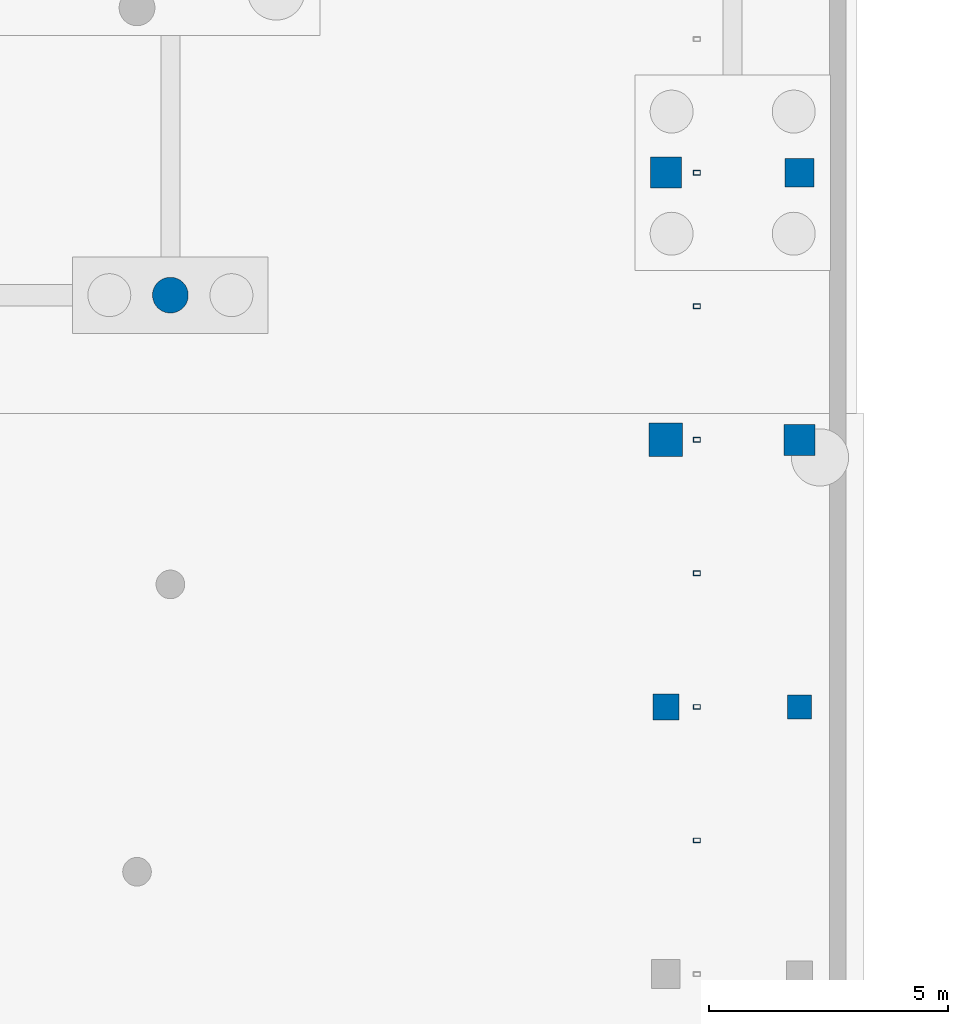
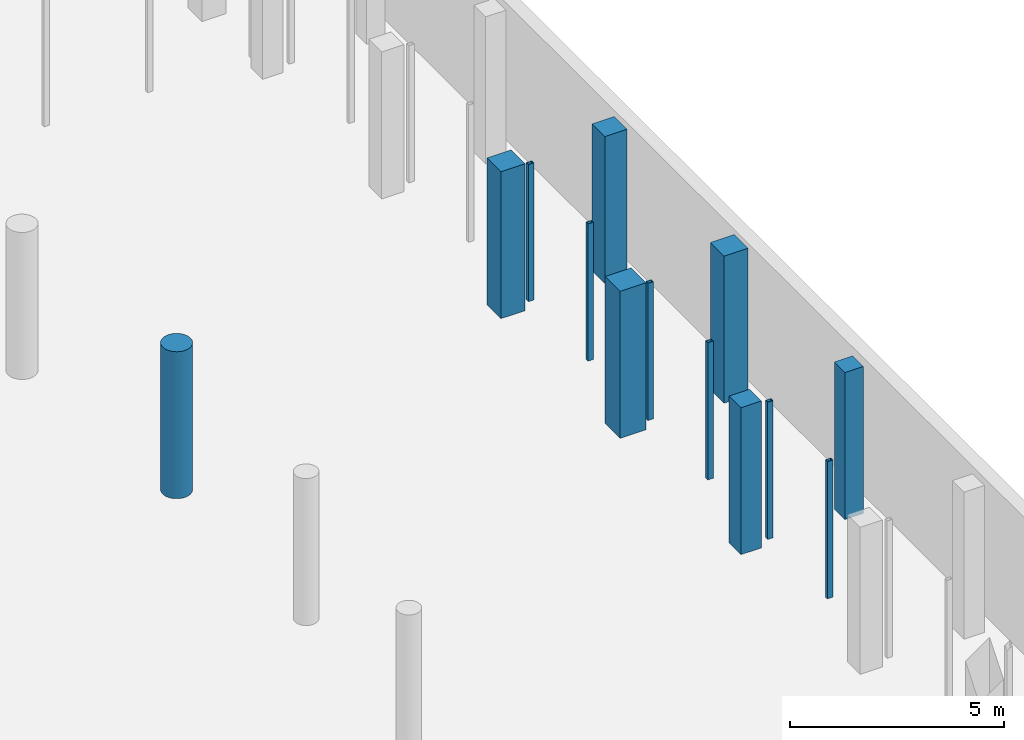
# One storey, part 17 of 34: 13 columns.
"""IFC4 building model written with IfcOpenShell, lengths in metres."""

from ifc_helpers import new_model, si_unit, direction, frame, origin, origin_2d, place, context, subcontext, project, spatial, rectangle, hollow_rectangle, circle, extrude, material, material_profile, profile_set, type_object, element, save


model = new_model("IFC4")

# Units and contexts
model_context = context("Model", 3, precision=1e-05, world=origin(), true_north=direction((0.0, 1.0)))
body_context = subcontext(model_context, "Body", "Model", "MODEL_VIEW")
ifc_project = project(units=[si_unit("LENGTHUNIT", "METRE"), si_unit("AREAUNIT", "SQUARE_METRE"), si_unit("VOLUMEUNIT", "CUBIC_METRE"), si_unit("PLANEANGLEUNIT", "RADIAN"), si_unit("MASSUNIT", "GRAM", prefix="KILO")], contexts=[model_context])

# Site, building, storey
site_placement = place(None, origin())
site = spatial("IfcSite", under=ifc_project, at=site_placement, CompositionType="ELEMENT")
building_placement = place(site_placement, origin())
building = spatial("IfcBuilding", under=site, at=building_placement, Name="Vinh Khe Railworks Police Headquarters", CompositionType="ELEMENT")
storey_placement = place(building_placement, frame((0.0, 0.0, -4.199951171875)))
storey = spatial("IfcBuildingStorey", under=building, at=storey_placement, Name="B1", CompositionType="ELEMENT", Elevation=-4.199951171875)

# Columns
ifc_material_1 = material(Name="Steel S355JR", Category="steel")
ifc_material_profile_1 = material_profile(ifc_material_1, hollow_rectangle(XDim=0.14990234375, YDim=0.10009765625, WallThickness=0.008056640625, at=origin_2d()), Name="RHS 150x100x8")
ifc_profile_set_1 = profile_set([ifc_material_profile_1], Name="Steel S355JR")
column_type_1 = type_object("IfcColumnType", Name="COL-QUILT-POST", PredefinedType="COLUMN", material=ifc_profile_set_1)
for number, where, z_axis, x_axis, name in (
    (1, (60.64990234375, 33.60009765625, 0.0), (0.0, 0.0, 1.0), (1.0, 0.0, 0.0), "Patchwork Quilt Plinth Column E-4 (B1)"),
    (2, (60.64990234375, 36.39990234375, 0.0), (0.0, 0.0, 1.0), (1.0, 0.0, 0.0), "Patchwork Quilt Plinth Column E-5 (B1)"),
    (3, (60.64990234375, 39.199951171875, 0.0), (0.0, 0.0, 1.0), (1.0, 0.0, 0.0), "Patchwork Quilt Plinth Column E-6 (B1)"),
    (4, (60.64990234375, 42.0, 0.0), (0.0, 0.0, 1.0), (1.0, 0.0, 0.0), "Patchwork Quilt Plinth Column E-7 (B1)"),
    (5, (60.64990234375, 44.800048828125, 0.0), (0.0, 0.0, 1.0), (1.0, 0.0, 0.0), "Patchwork Quilt Plinth Column E-8 (B1)"),
    (6, (60.64990234375, 47.60009765625, 0.0), (0.0, 0.0, 1.0), (1.0, 0.0, 0.0), "Patchwork Quilt Plinth Column E-9 (B1)"),
):
    element("IfcColumn", number, at=place(storey_placement, frame(where, z_axis=z_axis, x_axis=x_axis)), inside=storey, type_object=column_type_1, Name=name, PredefinedType="COLUMN", context=body_context, shape_type="SweptSolid", body=[
        extrude(hollow_rectangle(XDim=0.14990234375, YDim=0.10009765625, WallThickness=0.008056640625, at=origin_2d()), origin(), (0.0, 0.0, 1.0), 3.919921875),
    ])
ifc_material_2 = material(Name="Concrete C40/50 (B40)", Category="concrete")
ifc_material_profile_2 = material_profile(ifc_material_2, rectangle(XDim=0.5, YDim=0.5, at=origin_2d()), Name="RC 500x500")
ifc_profile_set_2 = profile_set([ifc_material_profile_2], Name="Concrete C40/50 (B40)")
column_type_2 = type_object("IfcColumnType", Name="RC Column RC 500x500", PredefinedType="COLUMN", material=ifc_profile_set_2)
column_1_placement = place(storey_placement, frame((62.800048828125, 36.39990234375, 0.0), z_axis=(0.0, 0.0, 1.0), x_axis=(1.0, 0.0, 0.0)))
element("IfcColumn", 7, at=column_1_placement, inside=storey, type_object=column_type_2, Name="Column COL-B1-CC-07-1081", PredefinedType="COLUMN", context=body_context, shape_type="SweptSolid", body=[
    extrude(rectangle(XDim=0.5, YDim=0.5, at=origin_2d()), origin(), (0.0, 0.0, 1.0), 4.199951171875),
])
ifc_material_profile_3 = material_profile(ifc_material_2, rectangle(XDim=0.550048828125, YDim=0.550048828125, at=origin_2d()), Name="RC 550x550")
ifc_profile_set_3 = profile_set([ifc_material_profile_3], Name="Concrete C40/50 (B40)")
column_type_3 = type_object("IfcColumnType", Name="RC Column RC 550x550", PredefinedType="COLUMN", material=ifc_profile_set_3)
column_2_placement = place(storey_placement, frame((60.0, 36.39990234375, 0.0), z_axis=(0.0, 0.0, 1.0), x_axis=(1.0, 0.0, 0.0)))
element("IfcColumn", 8, at=column_2_placement, inside=storey, type_object=column_type_3, Name="Column COL-B1-CC-06-1017", PredefinedType="COLUMN", context=body_context, shape_type="SweptSolid", body=[
    extrude(rectangle(XDim=0.550048828125, YDim=0.550048828125, at=origin_2d()), origin(), (0.0, 0.0, 1.0), 4.199951171875),
])
ifc_material_profile_4 = material_profile(ifc_material_2, rectangle(XDim=0.60009765625, YDim=0.60009765625, at=origin_2d()), Name="RC 600x600")
ifc_profile_set_4 = profile_set([ifc_material_profile_4], Name="Concrete C40/50 (B40)")
column_type_4 = type_object("IfcColumnType", Name="RC Column RC 600x600", PredefinedType="COLUMN", material=ifc_profile_set_4)
column_3_placement = place(storey_placement, frame((62.800048828125, 47.60009765625, 0.0), z_axis=(0.0, 0.0, 1.0), x_axis=(1.0, 0.0, 0.0)))
element("IfcColumn", 9, at=column_3_placement, inside=storey, type_object=column_type_4, Name="Column COL-B1-CC-05-1091", PredefinedType="COLUMN", context=body_context, shape_type="SweptSolid", body=[
    extrude(rectangle(XDim=0.60009765625, YDim=0.60009765625, at=origin_2d()), origin(), (0.0, 0.0, 1.0), 4.199951171875),
])
ifc_material_profile_5 = material_profile(ifc_material_2, rectangle(XDim=0.64990234375, YDim=0.64990234375, at=origin_2d()), Name="RC 650x650")
ifc_profile_set_5 = profile_set([ifc_material_profile_5], Name="Concrete C40/50 (B40)")
column_type_5 = type_object("IfcColumnType", Name="RC Column RC 650x650", PredefinedType="COLUMN", material=ifc_profile_set_5)
for number, where, z_axis, x_axis, name in (
    (10, (60.0, 47.60009765625, 0.0), (0.0, 0.0, 1.0), (1.0, 0.0, 0.0), "Column COL-B1-CC-04-1027"),
    (11, (62.800048828125, 42.0, 0.0), (0.0, 0.0, 1.0), (1.0, 0.0, 0.0), "Column COL-B1-CC-04-1086"),
):
    element("IfcColumn", number, at=place(storey_placement, frame(where, z_axis=z_axis, x_axis=x_axis)), inside=storey, type_object=column_type_5, Name=name, PredefinedType="COLUMN", context=body_context, shape_type="SweptSolid", body=[
        extrude(rectangle(XDim=0.64990234375, YDim=0.64990234375, at=origin_2d()), origin(), (0.0, 0.0, 1.0), 4.199951171875),
    ])
ifc_material_profile_6 = material_profile(ifc_material_2, rectangle(XDim=0.699951171875, YDim=0.699951171875, at=origin_2d()), Name="RC 700x700")
ifc_profile_set_6 = profile_set([ifc_material_profile_6], Name="Concrete C40/50 (B40)")
column_type_6 = type_object("IfcColumnType", Name="RC Column RC 700x700", PredefinedType="COLUMN", material=ifc_profile_set_6)
column_4_placement = place(storey_placement, frame((60.0, 42.0, 0.0), z_axis=(0.0, 0.0, 1.0), x_axis=(1.0, 0.0, 0.0)))
element("IfcColumn", 12, at=column_4_placement, inside=storey, type_object=column_type_6, Name="Column COL-B1-CC-03-1022", PredefinedType="COLUMN", context=body_context, shape_type="SweptSolid", body=[
    extrude(rectangle(XDim=0.699951171875, YDim=0.699951171875, at=origin_2d()), origin(), (0.0, 0.0, 1.0), 4.199951171875),
])
ifc_material_profile_7 = material_profile(ifc_material_2, circle(Radius=0.375, at=origin_2d()), Name="RC-CIRC D750")
ifc_profile_set_7 = profile_set([ifc_material_profile_7], Name="Concrete C40/50 (B40)")
column_type_7 = type_object("IfcColumnType", Name="RC Column RC-CIRC D750", PredefinedType="COLUMN", material=ifc_profile_set_7)
column_5_placement = place(storey_placement, frame((49.6123046875, 45.031982421875, 0.0), z_axis=(0.0, 0.0, 1.0), x_axis=(0.997039347045, 0.076893045491, 0.0)))
element("IfcColumn", 13, at=column_5_placement, inside=storey, type_object=column_type_7, Name="Column COL-B1-CC-12-0954", PredefinedType="COLUMN", context=body_context, shape_type="SweptSolid", body=[
    extrude(circle(Radius=0.375, at=origin_2d()), origin(), (0.0, 0.0, 1.0), 4.199951171875),
])

save(model, "model.ifc")
